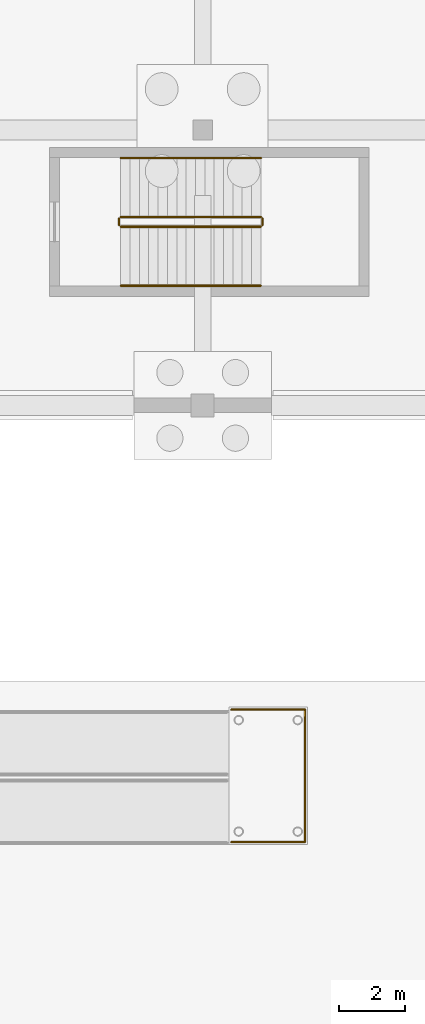
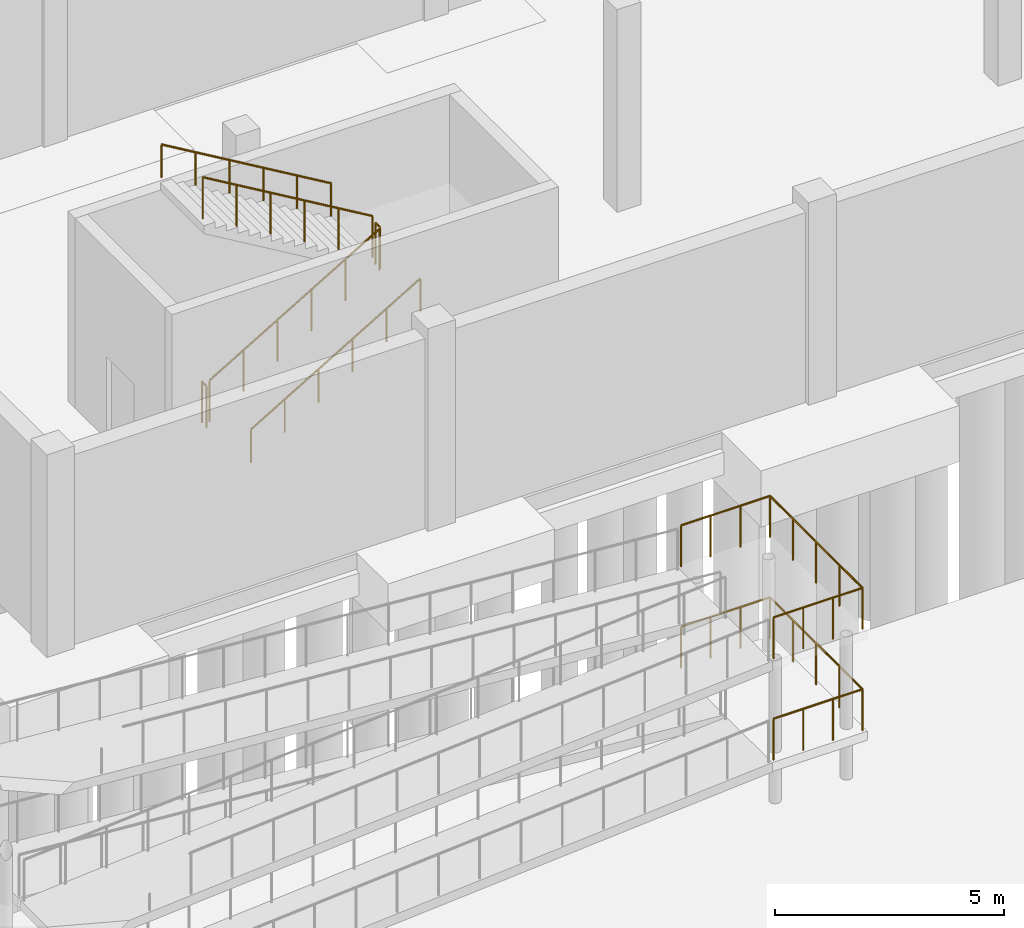
# One storey, part 38 of 41: 12 railings.
"""IFC4 building model written with IfcOpenShell, lengths in metres."""

import ifcopenshell
import ifcopenshell.guid

model = None  # the IFC model being written
_history = None  # IfcOwnerHistory: only IFC2X3 demands one
_inside = {}  # id of a spatial element -> (the spatial element, [elements in it])
_under = {}  # id of a project, library or spatial element -> (it, [spatial elements below it])
_declared = {}  # id of a project -> (the project, [libraries it declares])
_typed = {}  # id of a type object -> (the type object, [elements of that type])
_made_of = {}  # id of a material, layer set ... -> (it, [elements and type objects made of it])


def new_model(schema):
    """Start an empty IFC model of exactly this schema.

    Asked for "IFC4X3", IfcOpenShell would pick the latest addendum, in which some entities
    have other attributes; the version numbers below select the first issue.
    IFC2X3 requires an IfcOwnerHistory on every rooted entity: one is made here for all.
    """
    global model, _history
    if schema == "IFC4X3":
        model = ifcopenshell.file(schema_version=(4, 3, 0, 0))
    else:
        model = ifcopenshell.file(schema=schema)
    _inside.clear()
    _under.clear()
    _declared.clear()
    _typed.clear()
    _made_of.clear()
    _history = None
    if model.schema == "IFC2X3":
        org = make("IfcOrganization", Name="unknown")
        user = make(
            "IfcPersonAndOrganization",
            ThePerson=make("IfcPerson", FamilyName="unknown"),
            TheOrganization=org,
        )
        app = make(
            "IfcApplication",
            ApplicationDeveloper=org,
            Version="unknown",
            ApplicationFullName="unknown",
            ApplicationIdentifier="unknown",
        )
        _history = make(
            "IfcOwnerHistory",
            OwningUser=user,
            OwningApplication=app,
            ChangeAction="ADDED",
            CreationDate=0,
        )
    return model


def make(cls, **values):
    """One entity of the class cls with the attributes given. An attribute that is None is left unset."""
    return model.create_entity(
        cls, **{name: value for name, value in values.items() if value is not None}
    )


def rooted(cls, **values):
    """An entity with a GlobalId (a new one), such as an element, a storey or a relation."""
    return make(cls, GlobalId=ifcopenshell.guid.new(), OwnerHistory=_history, **values)


def si_unit(unit_type, name, prefix=None):
    """IfcSIUnit, for example si_unit("LENGTHUNIT", "METRE", prefix="MILLI")."""
    return make("IfcSIUnit", UnitType=unit_type, Prefix=prefix, Name=name)


def assignment(units):
    """IfcUnitAssignment: the units of a project."""
    return None if units is None else make("IfcUnitAssignment", Units=units)


def point(xyz):
    """IfcCartesianPoint."""
    return None if xyz is None else make("IfcCartesianPoint", Coordinates=xyz)


def direction(xyz):
    """IfcDirection."""
    return None if xyz is None else make("IfcDirection", DirectionRatios=xyz)


def frame(location, z_axis=None, x_axis=None):
    """IfcAxis2Placement3D, a coordinate frame: its origin and axes. An axis left out is left unset."""
    return make(
        "IfcAxis2Placement3D",
        Location=point(location),
        Axis=direction(z_axis),
        RefDirection=direction(x_axis),
    )


def frame_2d(location, x_axis=None):
    """IfcAxis2Placement2D, a coordinate frame in the plane: its origin and x axis."""
    return make(
        "IfcAxis2Placement2D", Location=point(location), RefDirection=direction(x_axis)
    )


def origin():
    """The frame at (0, 0, 0) with its axes left unset."""
    return frame((0.0, 0.0, 0.0))


def origin_2d():
    """The frame at (0, 0) in the plane with its x axis left unset."""
    return frame_2d((0.0, 0.0))


def place(relative_to, where):
    """IfcLocalPlacement: puts the frame where relative to a parent placement (None: the world)."""
    return make(
        "IfcLocalPlacement", PlacementRelTo=relative_to, RelativePlacement=where
    )


def context(
    kind, dimensions, precision=None, world=None, true_north=None, identifier=None
):
    """IfcGeometricRepresentationContext, for example the 3D "Model" context."""
    return make(
        "IfcGeometricRepresentationContext",
        ContextIdentifier=identifier,
        ContextType=kind,
        CoordinateSpaceDimension=dimensions,
        Precision=precision,
        WorldCoordinateSystem=world,
        TrueNorth=true_north,
    )


def subcontext(parent, identifier, kind, view, scale=None):
    """IfcGeometricRepresentationSubContext, for example "Body" below "Model"."""
    return make(
        "IfcGeometricRepresentationSubContext",
        ContextIdentifier=identifier,
        ContextType=kind,
        ParentContext=parent,
        TargetScale=scale,
        TargetView=view,
    )


def project(units=None, contexts=None):
    """IfcProject with its units and contexts."""
    return rooted(
        "IfcProject",
        Name="project",
        RepresentationContexts=contexts,
        UnitsInContext=assignment(units),
    )


def spatial(cls, under=None, at=None, **own):
    """A site, building, storey or space (cls), placed at a placement, below another one or the project."""
    s = rooted(cls, ObjectPlacement=at, **own)
    if under is not None:
        _under.setdefault(under.id(), (under, []))[1].append(s)
    return s


def profile(cls, at=None, kind="AREA", **sizes):
    """A parametric profile (cls). Its sizes go by their IFC names, for example OverallWidth=200.0."""
    return make(cls, ProfileType=kind, Position=at, **sizes)


def circle(**sizes):
    """IfcCircleProfileDef."""
    return profile("IfcCircleProfileDef", **sizes)


def extrude(swept, where, along, depth):
    """IfcExtrudedAreaSolid: the profile swept, set in the frame where, extruded along a direction by depth."""
    return make(
        "IfcExtrudedAreaSolid",
        SweptArea=swept,
        Position=where,
        ExtrudedDirection=direction(along),
        Depth=depth,
    )


def shape(context_of_items, identifier, shape_type, items):
    """IfcShapeRepresentation: the items that make up one representation, for example the "Body"."""
    return make(
        "IfcShapeRepresentation",
        ContextOfItems=context_of_items,
        RepresentationIdentifier=identifier,
        RepresentationType=shape_type,
        Items=items,
    )


def material(Name=None, Category=None):
    """IfcMaterial."""
    return make("IfcMaterial", Name=Name, Category=Category)


def made_of(thing, what):
    """Note that an element or type object is made of a material, layer set ...; save() writes the relation."""
    if what is not None:
        _made_of.setdefault(what.id(), (what, []))[1].append(thing)
    return thing


def type_object(cls, material=None, **own):
    """A type object (cls), such as IfcWallType, which elements share."""
    return made_of(rooted(cls, **own), material)


def element(
    cls,
    number,
    at=None,
    inside=None,
    cuts=None,
    type_object=None,
    material=None,
    context=None,
    identifier="Body",
    shape_type=None,
    held_by="IfcProductDefinitionShape",
    body=None,
    shapes=None,
    **own,
):
    """One element of the class cls, such as IfcWall. Its Tag is "e" and its number.

    at: its placement. inside: the storey or other place that contains it. cuts: it is an
    opening in that element (IfcRelVoidsElement). A single representation is given by context,
    identifier, shape_type and body (its items); several are given by shapes. held_by: the class
    of the entity that holds the representations. save() writes the other relations.
    """
    e = rooted(cls, Tag="e%d" % number, ObjectPlacement=at, **own)
    if body is not None:
        shapes = [shape(context, identifier, shape_type, body)]
    if shapes is not None:
        e.Representation = make(held_by, Representations=shapes)
    if inside is not None:
        _inside.setdefault(inside.id(), (inside, []))[1].append(e)
    if cuts is not None:
        rooted(
            "IfcRelVoidsElement", RelatingBuildingElement=cuts, RelatedOpeningElement=e
        )
    if type_object is not None:
        _typed.setdefault(type_object.id(), (type_object, []))[1].append(e)
    return made_of(e, material)


def aggregate(whole, parts):
    """IfcRelAggregates: a whole, such as a stair, and the parts it consists of."""
    return rooted("IfcRelAggregates", RelatingObject=whole, RelatedObjects=parts)


def save(model, path):
    """Write the relations noted so far, then the file.

    IfcRelAggregates (storeys below a building ...), IfcRelContainedInSpatialStructure (elements
    in a storey), IfcRelDefinesByType, IfcRelAssociatesMaterial and IfcRelDeclares: one each for
    every whole, place, type object, material and project.
    """
    for whole, parts in _under.values():
        aggregate(whole, parts)
    for where, things in _inside.values():
        rooted(
            "IfcRelContainedInSpatialStructure",
            RelatedElements=things,
            RelatingStructure=where,
        )
    for kind, things in _typed.values():
        rooted("IfcRelDefinesByType", RelatedObjects=things, RelatingType=kind)
    for what, things in _made_of.values():
        rooted("IfcRelAssociatesMaterial", RelatedObjects=things, RelatingMaterial=what)
    for by, libraries in _declared.values():
        rooted("IfcRelDeclares", RelatingContext=by, RelatedDefinitions=libraries)
    model.write(path)


model = new_model("IFC4")

# Units and contexts
model_context = context("Model", 3, precision=1e-05, world=origin(), true_north=direction((0.0, 1.0)))
body_context = subcontext(model_context, "Body", "Model", "MODEL_VIEW")
ifc_project = project(units=[si_unit("LENGTHUNIT", "METRE"), si_unit("AREAUNIT", "SQUARE_METRE"), si_unit("VOLUMEUNIT", "CUBIC_METRE"), si_unit("PLANEANGLEUNIT", "RADIAN"), si_unit("MASSUNIT", "GRAM", prefix="KILO")], contexts=[model_context])

# Site, building, storey
site_placement = place(None, origin())
site = spatial("IfcSite", under=ifc_project, at=site_placement, CompositionType="ELEMENT")
building_placement = place(site_placement, origin())
building = spatial("IfcBuilding", under=site, at=building_placement, Name="Shalvenor Court Art Gallery", CompositionType="ELEMENT")
storey_placement = place(building_placement, frame((0.0, 0.0, -5.39990234375)))
storey = spatial("IfcBuildingStorey", under=building, at=storey_placement, Name="B01", CompositionType="ELEMENT", Elevation=-5.39990234375)

# Railings
ifc_material_1 = material(Name="Stainless steel and laminated glass balustrade", Category="steel")
railing_type_1 = type_object("IfcRailingType", Name="GR-01", PredefinedType="BALUSTRADE", material=ifc_material_1)
railing_1_placement = place(storey_placement, frame((70.320068359375, 83.8798828125, 1.349853515625)))
element("IfcRailing", 1, at=railing_1_placement, inside=storey, type_object=railing_type_1, Name="Accessible Ramp Landing Guard 1.1", PredefinedType="BALUSTRADE", context=body_context, shape_type="SweptSolid", body=[
    extrude(circle(Radius=0.02392578125, at=origin_2d()), frame((0.0, 0.0, 1.09619140625), z_axis=(0.0, 1.0, 0.0), x_axis=(-1.0, 0.0, 0.0)), (0.0, 0.0, 1.0), 4.0400390625),
    extrude(circle(Radius=0.02099609375, at=origin_2d()), origin(), (0.0, 0.0, 1.0), 1.072021484375),
    extrude(circle(Radius=0.02099609375, at=origin_2d()), frame((0.0, 1.010009765625, 0.0)), (0.0, 0.0, 1.0), 1.072021484375),
    extrude(circle(Radius=0.02099609375, at=origin_2d()), frame((0.0, 2.02001953125, 0.0)), (0.0, 0.0, 1.0), 1.072021484375),
    extrude(circle(Radius=0.02099609375, at=origin_2d()), frame((0.0, 3.030029296875, 0.0)), (0.0, 0.0, 1.0), 1.072021484375),
    extrude(circle(Radius=0.02099609375, at=origin_2d()), frame((0.0, 4.0400390625, 0.0)), (0.0, 0.0, 1.0), 1.072021484375),
])
for number, where, name in (
    (2, (68.080078125, 83.8798828125, 1.349853515625), "Accessible Ramp Landing Guard 1.2"),
    (3, (68.080078125, 87.919921875, 1.349853515625), "Accessible Ramp Landing Guard 1.3"),
):
    element("IfcRailing", number, at=place(storey_placement, frame(where)), inside=storey, type_object=railing_type_1, Name=name, PredefinedType="BALUSTRADE", context=body_context, shape_type="SweptSolid", body=[
        extrude(circle(Radius=0.02392578125, at=origin_2d()), frame((0.0, 0.0, 1.09619140625), z_axis=(1.0, 0.0, 0.0), x_axis=(0.0, 1.0, 0.0)), (0.0, 0.0, 1.0), 2.239990234375),
        extrude(circle(Radius=0.02099609375, at=origin_2d()), origin(), (0.0, 0.0, 1.0), 1.072021484375),
        extrude(circle(Radius=0.02099609375, at=origin_2d()), frame((0.74658203125, 0.0, 0.0)), (0.0, 0.0, 1.0), 1.072021484375),
        extrude(circle(Radius=0.02099609375, at=origin_2d()), frame((1.493408203125, 0.0, 0.0)), (0.0, 0.0, 1.0), 1.072021484375),
        extrude(circle(Radius=0.02099609375, at=origin_2d()), frame((2.239990234375, 0.0, 0.0)), (0.0, 0.0, 1.0), 1.072021484375),
    ])
railing_2_placement = place(storey_placement, frame((70.320068359375, 83.8798828125, 4.0498046875)))
element("IfcRailing", 4, at=railing_2_placement, inside=storey, type_object=railing_type_1, Name="Accessible Ramp Landing Guard 3.1", PredefinedType="BALUSTRADE", context=body_context, shape_type="SweptSolid", body=[
    extrude(circle(Radius=0.02392578125, at=origin_2d()), frame((0.0, 0.0, 1.09619140625), z_axis=(0.0, 1.0, 0.0), x_axis=(-1.0, 0.0, 0.0)), (0.0, 0.0, 1.0), 4.0400390625),
    extrude(circle(Radius=0.02099609375, at=origin_2d()), origin(), (0.0, 0.0, 1.0), 1.072021484375),
    extrude(circle(Radius=0.02099609375, at=origin_2d()), frame((0.0, 1.010009765625, 0.0)), (0.0, 0.0, 1.0), 1.072021484375),
    extrude(circle(Radius=0.02099609375, at=origin_2d()), frame((0.0, 2.02001953125, 0.0)), (0.0, 0.0, 1.0), 1.072021484375),
    extrude(circle(Radius=0.02099609375, at=origin_2d()), frame((0.0, 3.030029296875, 0.0)), (0.0, 0.0, 1.0), 1.072021484375),
    extrude(circle(Radius=0.02099609375, at=origin_2d()), frame((0.0, 4.0400390625, 0.0)), (0.0, 0.0, 1.0), 1.072021484375),
])
for number, where, name in (
    (5, (68.080078125, 83.8798828125, 4.0498046875), "Accessible Ramp Landing Guard 3.2"),
    (6, (68.080078125, 87.919921875, 4.0498046875), "Accessible Ramp Landing Guard 3.3"),
):
    element("IfcRailing", number, at=place(storey_placement, frame(where)), inside=storey, type_object=railing_type_1, Name=name, PredefinedType="BALUSTRADE", context=body_context, shape_type="SweptSolid", body=[
        extrude(circle(Radius=0.02392578125, at=origin_2d()), frame((0.0, 0.0, 1.09619140625), z_axis=(1.0, 0.0, 0.0), x_axis=(0.0, 1.0, 0.0)), (0.0, 0.0, 1.0), 2.239990234375),
        extrude(circle(Radius=0.02099609375, at=origin_2d()), origin(), (0.0, 0.0, 1.0), 1.072021484375),
        extrude(circle(Radius=0.02099609375, at=origin_2d()), frame((0.74658203125, 0.0, 0.0)), (0.0, 0.0, 1.0), 1.072021484375),
        extrude(circle(Radius=0.02099609375, at=origin_2d()), frame((1.493408203125, 0.0, 0.0)), (0.0, 0.0, 1.0), 1.072021484375),
        extrude(circle(Radius=0.02099609375, at=origin_2d()), frame((2.239990234375, 0.0, 0.0)), (0.0, 0.0, 1.0), 1.072021484375),
    ])
ifc_material_2 = material(Name="Painted steel post-and-rail guard", Category="steel")
railing_type_2 = type_object("IfcRailingType", Name="GR-02", PredefinedType="GUARDRAIL", material=ifc_material_2)
railing_3_placement = place(storey_placement, frame((64.699951171875, 102.64990234375, 0.168701171875)))
element("IfcRailing", 7, at=railing_3_placement, inside=storey, type_object=railing_type_2, Name="B01 ST-09 Stair Guard 1", PredefinedType="GUARDRAIL", context=body_context, shape_type="SweptSolid", body=[
    extrude(circle(Radius=0.02392578125, at=origin_2d()), frame((0.0, 0.0, 1.09619140625), z_axis=(0.860483042394, 0.0, 0.50947908078), x_axis=(0.0, 1.0, 0.0)), (0.0, 0.0, 1.0), 4.96826171875),
    extrude(circle(Radius=0.02099609375, at=origin_2d()), origin(), (0.0, 0.0, 1.0), 1.072021484375),
    extrude(circle(Radius=0.02099609375, at=origin_2d()), frame((0.85498046875, 0.0, 0.50634765625)), (0.0, 0.0, 1.0), 1.072021484375),
    extrude(circle(Radius=0.02099609375, at=origin_2d()), frame((1.7099609375, 0.0, 1.012451171875)), (0.0, 0.0, 1.0), 1.072021484375),
    extrude(circle(Radius=0.02099609375, at=origin_2d()), frame((2.565185546875, 0.0, 1.518798828125)), (0.0, 0.0, 1.0), 1.072021484375),
    extrude(circle(Radius=0.02099609375, at=origin_2d()), frame((3.420166015625, 0.0, 2.02490234375)), (0.0, 0.0, 1.0), 1.072021484375),
    extrude(circle(Radius=0.02099609375, at=origin_2d()), frame((4.275146484375, 0.0, 2.53125)), (0.0, 0.0, 1.0), 1.072021484375),
])
railing_4_placement = place(storey_placement, frame((69.02490234375, 102.699951171875, 2.699951171875)))
element("IfcRailing", 8, at=railing_4_placement, inside=storey, type_object=railing_type_2, Name="B01 ST-09 Stair Guard 2", PredefinedType="GUARDRAIL", context=body_context, shape_type="SweptSolid", body=[
    extrude(circle(Radius=0.02392578125, at=origin_2d()), frame((0.0, 0.0, 1.09619140625), z_axis=(0.0, 1.0, 0.0), x_axis=(-1.0, 0.0, 0.0)), (0.0, 0.0, 1.0), 0.199951171875),
    extrude(circle(Radius=0.02099609375, at=origin_2d()), origin(), (0.0, 0.0, 1.0), 1.072021484375),
    extrude(circle(Radius=0.02099609375, at=origin_2d()), frame((0.0, 0.199951171875, 0.0)), (0.0, 0.0, 1.0), 1.072021484375),
])
railing_5_placement = place(storey_placement, frame((68.97509765625, 102.949951171875, 2.86865234375)))
element("IfcRailing", 9, at=railing_5_placement, inside=storey, type_object=railing_type_2, Name="B01 ST-09 Stair Guard 3", PredefinedType="GUARDRAIL", context=body_context, shape_type="SweptSolid", body=[
    extrude(circle(Radius=0.02392578125, at=origin_2d()), frame((0.0, 0.0, 1.09619140625), z_axis=(-0.860483042394, 0.0, 0.50947908078), x_axis=(0.0, -1.0, 0.0)), (0.0, 0.0, 1.0), 4.96826171875),
    extrude(circle(Radius=0.02099609375, at=origin_2d()), origin(), (0.0, 0.0, 1.0), 1.072021484375),
    extrude(circle(Radius=0.02099609375, at=origin_2d()), frame((-0.85498046875, 0.0, 0.50634765625)), (0.0, 0.0, 1.0), 1.072021484375),
    extrude(circle(Radius=0.02099609375, at=origin_2d()), frame((-1.7099609375, 0.0, 1.012451171875)), (0.0, 0.0, 1.0), 1.072021484375),
    extrude(circle(Radius=0.02099609375, at=origin_2d()), frame((-2.565185546875, 0.0, 1.518798828125)), (0.0, 0.0, 1.0), 1.072021484375),
    extrude(circle(Radius=0.02099609375, at=origin_2d()), frame((-3.420166015625, 0.0, 2.02490234375)), (0.0, 0.0, 1.0), 1.072021484375),
    extrude(circle(Radius=0.02099609375, at=origin_2d()), frame((-4.275146484375, 0.0, 2.53125)), (0.0, 0.0, 1.0), 1.072021484375),
])
railing_6_placement = place(storey_placement, frame((64.64990234375, 102.699951171875, 0.0)))
element("IfcRailing", 10, at=railing_6_placement, inside=storey, type_object=railing_type_2, Name="B01 ST-09 Stair Guard 4", PredefinedType="GUARDRAIL", context=body_context, shape_type="SweptSolid", body=[
    extrude(circle(Radius=0.02392578125, at=origin_2d()), frame((0.0, 0.0, 1.09619140625), z_axis=(0.0, 1.0, 0.0), x_axis=(-1.0, 0.0, 0.0)), (0.0, 0.0, 1.0), 0.199951171875),
    extrude(circle(Radius=0.02099609375, at=origin_2d()), origin(), (0.0, 0.0, 1.0), 1.072021484375),
    extrude(circle(Radius=0.02099609375, at=origin_2d()), frame((0.0, 0.199951171875, 0.0)), (0.0, 0.0, 1.0), 1.072021484375),
])
ifc_material_3 = material(Name="Brushed stainless steel handrail", Category="steel")
railing_type_3 = type_object("IfcRailingType", Name="HR-01", PredefinedType="HANDRAIL", material=ifc_material_3)
railing_7_placement = place(storey_placement, frame((64.699951171875, 100.85009765625, 0.168701171875)))
element("IfcRailing", 11, at=railing_7_placement, inside=storey, type_object=railing_type_3, Name="B01 ST-09 Stair Handrail 1", PredefinedType="HANDRAIL", context=body_context, shape_type="SweptSolid", body=[
    extrude(circle(Radius=0.02392578125, at=origin_2d()), frame((0.0, 0.0, 0.8759765625), z_axis=(0.860483042394, 0.0, 0.50947908078), x_axis=(0.0, 1.0, 0.0)), (0.0, 0.0, 1.0), 4.96826171875),
    extrude(circle(Radius=0.02099609375, at=origin_2d()), origin(), (0.0, 0.0, 1.0), 0.851806640625),
    extrude(circle(Radius=0.02099609375, at=origin_2d()), frame((0.85498046875, 0.0, 0.50634765625)), (0.0, 0.0, 1.0), 0.851806640625),
    extrude(circle(Radius=0.02099609375, at=origin_2d()), frame((1.7099609375, 0.0, 1.012451171875)), (0.0, 0.0, 1.0), 0.851806640625),
    extrude(circle(Radius=0.02099609375, at=origin_2d()), frame((2.565185546875, 0.0, 1.518798828125)), (0.0, 0.0, 1.0), 0.851806640625),
    extrude(circle(Radius=0.02099609375, at=origin_2d()), frame((3.420166015625, 0.0, 2.02490234375)), (0.0, 0.0, 1.0), 0.851806640625),
    extrude(circle(Radius=0.02099609375, at=origin_2d()), frame((4.275146484375, 0.0, 2.53125)), (0.0, 0.0, 1.0), 0.851806640625),
])
railing_8_placement = place(storey_placement, frame((68.97509765625, 104.75, 2.86865234375)))
element("IfcRailing", 12, at=railing_8_placement, inside=storey, type_object=railing_type_3, Name="B01 ST-09 Stair Handrail 2", PredefinedType="HANDRAIL", context=body_context, shape_type="SweptSolid", body=[
    extrude(circle(Radius=0.02392578125, at=origin_2d()), frame((0.0, 0.0, 0.8759765625), z_axis=(-0.860483042394, 0.0, 0.50947908078), x_axis=(0.0, -1.0, 0.0)), (0.0, 0.0, 1.0), 4.96826171875),
    extrude(circle(Radius=0.02099609375, at=origin_2d()), origin(), (0.0, 0.0, 1.0), 0.851806640625),
    extrude(circle(Radius=0.02099609375, at=origin_2d()), frame((-0.85498046875, 0.0, 0.50634765625)), (0.0, 0.0, 1.0), 0.851806640625),
    extrude(circle(Radius=0.02099609375, at=origin_2d()), frame((-1.7099609375, 0.0, 1.012451171875)), (0.0, 0.0, 1.0), 0.851806640625),
    extrude(circle(Radius=0.02099609375, at=origin_2d()), frame((-2.565185546875, 0.0, 1.518798828125)), (0.0, 0.0, 1.0), 0.851806640625),
    extrude(circle(Radius=0.02099609375, at=origin_2d()), frame((-3.420166015625, 0.0, 2.02490234375)), (0.0, 0.0, 1.0), 0.851806640625),
    extrude(circle(Radius=0.02099609375, at=origin_2d()), frame((-4.275146484375, 0.0, 2.53125)), (0.0, 0.0, 1.0), 0.851806640625),
])

save(model, "model.ifc")
